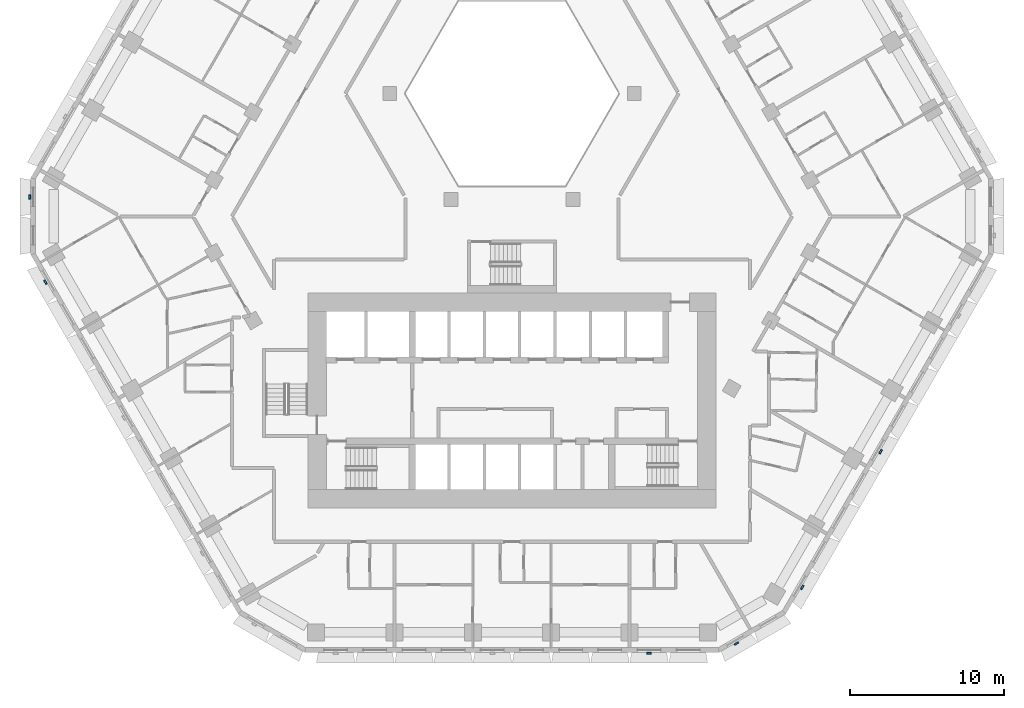
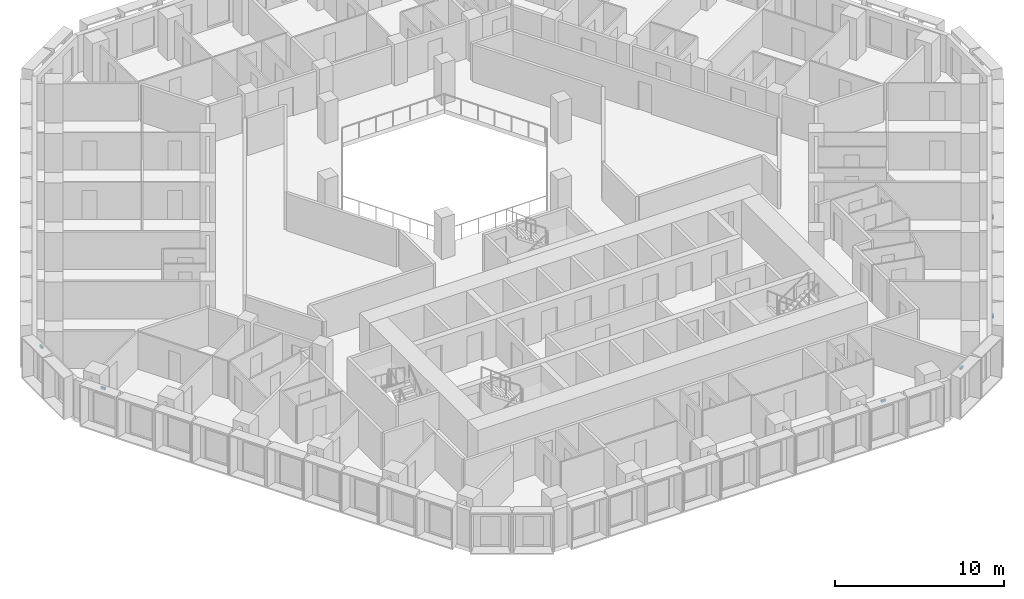
# One storey, part 13 of 21: 6 discrete accessories.
"""IFC4 building model written with IfcOpenShell, lengths in metres."""

import ifcopenshell
import ifcopenshell.guid

model = None  # the IFC model being written
_history = None  # IfcOwnerHistory: only IFC2X3 demands one
_inside = {}  # id of a spatial element -> (the spatial element, [elements in it])
_under = {}  # id of a project, library or spatial element -> (it, [spatial elements below it])
_declared = {}  # id of a project -> (the project, [libraries it declares])
_typed = {}  # id of a type object -> (the type object, [elements of that type])
_made_of = {}  # id of a material, layer set ... -> (it, [elements and type objects made of it])


def new_model(schema):
    """Start an empty IFC model of exactly this schema.

    Asked for "IFC4X3", IfcOpenShell would pick the latest addendum, in which some entities
    have other attributes; the version numbers below select the first issue.
    IFC2X3 requires an IfcOwnerHistory on every rooted entity: one is made here for all.
    """
    global model, _history
    if schema == "IFC4X3":
        model = ifcopenshell.file(schema_version=(4, 3, 0, 0))
    else:
        model = ifcopenshell.file(schema=schema)
    _inside.clear()
    _under.clear()
    _declared.clear()
    _typed.clear()
    _made_of.clear()
    _history = None
    if model.schema == "IFC2X3":
        org = make("IfcOrganization", Name="unknown")
        user = make(
            "IfcPersonAndOrganization",
            ThePerson=make("IfcPerson", FamilyName="unknown"),
            TheOrganization=org,
        )
        app = make(
            "IfcApplication",
            ApplicationDeveloper=org,
            Version="unknown",
            ApplicationFullName="unknown",
            ApplicationIdentifier="unknown",
        )
        _history = make(
            "IfcOwnerHistory",
            OwningUser=user,
            OwningApplication=app,
            ChangeAction="ADDED",
            CreationDate=0,
        )
    return model


def make(cls, **values):
    """One entity of the class cls with the attributes given. An attribute that is None is left unset."""
    return model.create_entity(
        cls, **{name: value for name, value in values.items() if value is not None}
    )


def rooted(cls, **values):
    """An entity with a GlobalId (a new one), such as an element, a storey or a relation."""
    return make(cls, GlobalId=ifcopenshell.guid.new(), OwnerHistory=_history, **values)


def si_unit(unit_type, name, prefix=None):
    """IfcSIUnit, for example si_unit("LENGTHUNIT", "METRE", prefix="MILLI")."""
    return make("IfcSIUnit", UnitType=unit_type, Prefix=prefix, Name=name)


def assignment(units):
    """IfcUnitAssignment: the units of a project."""
    return None if units is None else make("IfcUnitAssignment", Units=units)


def point(xyz):
    """IfcCartesianPoint."""
    return None if xyz is None else make("IfcCartesianPoint", Coordinates=xyz)


def direction(xyz):
    """IfcDirection."""
    return None if xyz is None else make("IfcDirection", DirectionRatios=xyz)


def frame(location, z_axis=None, x_axis=None):
    """IfcAxis2Placement3D, a coordinate frame: its origin and axes. An axis left out is left unset."""
    return make(
        "IfcAxis2Placement3D",
        Location=point(location),
        Axis=direction(z_axis),
        RefDirection=direction(x_axis),
    )


def origin():
    """The frame at (0, 0, 0) with its axes left unset."""
    return frame((0.0, 0.0, 0.0))


def place(relative_to, where):
    """IfcLocalPlacement: puts the frame where relative to a parent placement (None: the world)."""
    return make(
        "IfcLocalPlacement", PlacementRelTo=relative_to, RelativePlacement=where
    )


def context(
    kind, dimensions, precision=None, world=None, true_north=None, identifier=None
):
    """IfcGeometricRepresentationContext, for example the 3D "Model" context."""
    return make(
        "IfcGeometricRepresentationContext",
        ContextIdentifier=identifier,
        ContextType=kind,
        CoordinateSpaceDimension=dimensions,
        Precision=precision,
        WorldCoordinateSystem=world,
        TrueNorth=true_north,
    )


def subcontext(parent, identifier, kind, view, scale=None):
    """IfcGeometricRepresentationSubContext, for example "Body" below "Model"."""
    return make(
        "IfcGeometricRepresentationSubContext",
        ContextIdentifier=identifier,
        ContextType=kind,
        ParentContext=parent,
        TargetScale=scale,
        TargetView=view,
    )


def project(units=None, contexts=None):
    """IfcProject with its units and contexts."""
    return rooted(
        "IfcProject",
        Name="project",
        RepresentationContexts=contexts,
        UnitsInContext=assignment(units),
    )


def spatial(cls, under=None, at=None, **own):
    """A site, building, storey or space (cls), placed at a placement, below another one or the project."""
    s = rooted(cls, ObjectPlacement=at, **own)
    if under is not None:
        _under.setdefault(under.id(), (under, []))[1].append(s)
    return s


def polyline(points):
    """IfcPolyline through the points."""
    return make("IfcPolyline", Points=[point(p) for p in points])


def outline(outer, holes=None, kind="AREA"):
    """IfcArbitraryClosedProfileDef: a profile drawn as a closed curve; with holes, ...WithVoids."""
    if holes is None:
        return make("IfcArbitraryClosedProfileDef", ProfileType=kind, OuterCurve=outer)
    return make(
        "IfcArbitraryProfileDefWithVoids",
        ProfileType=kind,
        OuterCurve=outer,
        InnerCurves=holes,
    )


def extrude(swept, where, along, depth):
    """IfcExtrudedAreaSolid: the profile swept, set in the frame where, extruded along a direction by depth."""
    return make(
        "IfcExtrudedAreaSolid",
        SweptArea=swept,
        Position=where,
        ExtrudedDirection=direction(along),
        Depth=depth,
    )


def shape(context_of_items, identifier, shape_type, items):
    """IfcShapeRepresentation: the items that make up one representation, for example the "Body"."""
    return make(
        "IfcShapeRepresentation",
        ContextOfItems=context_of_items,
        RepresentationIdentifier=identifier,
        RepresentationType=shape_type,
        Items=items,
    )


def source(mapping_origin, context_of_items, identifier, shape_type, items):
    """IfcRepresentationMap: a shape defined once, which mapped items show again and again."""
    return make(
        "IfcRepresentationMap",
        MappingOrigin=mapping_origin,
        MappedRepresentation=shape(context_of_items, identifier, shape_type, items),
    )


def transform(
    local_origin,
    x_axis=None,
    y_axis=None,
    z_axis=None,
    scale=None,
    scale2=None,
    scale3=None,
    uniform=True,
):
    """IfcCartesianTransformationOperator3D, or its non-uniform kind. x_axis, y_axis, z_axis: its Axis1, 2, 3."""
    if uniform:
        return make(
            "IfcCartesianTransformationOperator3D",
            Axis1=direction(x_axis),
            Axis2=direction(y_axis),
            LocalOrigin=point(local_origin),
            Scale=scale,
            Axis3=direction(z_axis),
        )
    return make(
        "IfcCartesianTransformationOperator3DnonUniform",
        Axis1=direction(x_axis),
        Axis2=direction(y_axis),
        LocalOrigin=point(local_origin),
        Scale=scale,
        Axis3=direction(z_axis),
        Scale2=scale2,
        Scale3=scale3,
    )


def mapped(mapping_source, mapping_target):
    """IfcMappedItem: shows the shape of a source again, moved by a transform."""
    return make(
        "IfcMappedItem", MappingSource=mapping_source, MappingTarget=mapping_target
    )


def material(Name=None, Category=None):
    """IfcMaterial."""
    return make("IfcMaterial", Name=Name, Category=Category)


def made_of(thing, what):
    """Note that an element or type object is made of a material, layer set ...; save() writes the relation."""
    if what is not None:
        _made_of.setdefault(what.id(), (what, []))[1].append(thing)
    return thing


def type_object(cls, material=None, **own):
    """A type object (cls), such as IfcWallType, which elements share."""
    return made_of(rooted(cls, **own), material)


def type_shapes(of_type, sources):
    """Give a type object the sources (RepresentationMaps) that its elements show as mapped items."""
    of_type.RepresentationMaps = sources


def element(
    cls,
    number,
    at=None,
    inside=None,
    cuts=None,
    type_object=None,
    material=None,
    context=None,
    identifier="Body",
    shape_type=None,
    held_by="IfcProductDefinitionShape",
    body=None,
    shapes=None,
    **own,
):
    """One element of the class cls, such as IfcWall. Its Tag is "e" and its number.

    at: its placement. inside: the storey or other place that contains it. cuts: it is an
    opening in that element (IfcRelVoidsElement). A single representation is given by context,
    identifier, shape_type and body (its items); several are given by shapes. held_by: the class
    of the entity that holds the representations. save() writes the other relations.
    """
    e = rooted(cls, Tag="e%d" % number, ObjectPlacement=at, **own)
    if body is not None:
        shapes = [shape(context, identifier, shape_type, body)]
    if shapes is not None:
        e.Representation = make(held_by, Representations=shapes)
    if inside is not None:
        _inside.setdefault(inside.id(), (inside, []))[1].append(e)
    if cuts is not None:
        rooted(
            "IfcRelVoidsElement", RelatingBuildingElement=cuts, RelatedOpeningElement=e
        )
    if type_object is not None:
        _typed.setdefault(type_object.id(), (type_object, []))[1].append(e)
    return made_of(e, material)


def aggregate(whole, parts):
    """IfcRelAggregates: a whole, such as a stair, and the parts it consists of."""
    return rooted("IfcRelAggregates", RelatingObject=whole, RelatedObjects=parts)


def save(model, path):
    """Write the relations noted so far, then the file.

    IfcRelAggregates (storeys below a building ...), IfcRelContainedInSpatialStructure (elements
    in a storey), IfcRelDefinesByType, IfcRelAssociatesMaterial and IfcRelDeclares: one each for
    every whole, place, type object, material and project.
    """
    for whole, parts in _under.values():
        aggregate(whole, parts)
    for where, things in _inside.values():
        rooted(
            "IfcRelContainedInSpatialStructure",
            RelatedElements=things,
            RelatingStructure=where,
        )
    for kind, things in _typed.values():
        rooted("IfcRelDefinesByType", RelatedObjects=things, RelatingType=kind)
    for what, things in _made_of.values():
        rooted("IfcRelAssociatesMaterial", RelatedObjects=things, RelatingMaterial=what)
    for by, libraries in _declared.values():
        rooted("IfcRelDeclares", RelatingContext=by, RelatedDefinitions=libraries)
    model.write(path)


model = new_model("IFC4")

# Units and contexts
model_context = context("Model", 3, precision=1e-05, world=origin(), true_north=direction((0.0, 1.0)))
body_context = subcontext(model_context, "Body", "Model", "MODEL_VIEW")
ifc_project = project(units=[si_unit("LENGTHUNIT", "METRE"), si_unit("AREAUNIT", "SQUARE_METRE"), si_unit("VOLUMEUNIT", "CUBIC_METRE"), si_unit("PLANEANGLEUNIT", "RADIAN"), si_unit("MASSUNIT", "GRAM", prefix="KILO")], contexts=[model_context])

# Site, building, storey
site_placement = place(None, origin())
site = spatial("IfcSite", under=ifc_project, at=site_placement, CompositionType="ELEMENT")
building_placement = place(site_placement, origin())
building = spatial("IfcBuilding", under=site, at=building_placement, Name="Beryl Residences", CompositionType="ELEMENT")
storey_placement = place(building_placement, frame((0.0, 0.0, 47.39990234375)))
storey = spatial("IfcBuildingStorey", under=building, at=storey_placement, Name="L14", CompositionType="ELEMENT", Elevation=47.39990234375)

# Discrete accessories
ifc_material = material(Name="Steel S355", Category="steel")
discrete_accessory_type = type_object("IfcDiscreteAccessoryType", Name="BR1 frame bracket 300 x 120 x 150 mm", PredefinedType="BRACKET", material=ifc_material)
shared_shape = source(origin(), body_context, "Body", "SweptSolid", [
    extrude(outline(polyline([(-0.14990234375, 0.0), (0.14990234375, 0.0), (0.14990234375, 0.1201171875), (-0.14990234375, 0.1201171875), (-0.14990234375, 0.0)])), origin(), (0.0, 0.0, 1.0), 0.14990234375),
])
type_shapes(discrete_accessory_type, [shared_shape])
for number, where, z_axis, x_axis, name in (
    (1, (-31.35009765625, 1.25, 2.75), (0.0, 0.0, 1.0), (0.0, 1.0, 0.0), "BR1 bracket L14 NW-SW 1"),
    (2, (-30.3359375, -4.2548828125, 2.75), (0.0, 0.0, 1.0), (-0.5, 0.866025403784, 0.0), "BR1 bracket L14 SW 1"),
    (3, (8.93310546875, -28.39990234375, 2.75), (0.0, 0.0, 1.0), (-1.0, 0.0, 0.0), "BR1 bracket L14 S 9"),
    (4, (14.593017578125, -27.77490234375, 2.75), (0.0, 0.0, 1.0), (-0.866025403784, -0.5, 0.0), "BR1 bracket L14 S-SE 1"),
    (5, (18.85400390625, -24.14501953125, 2.75), (0.0, 0.0, 1.0), (-0.5, -0.866025403784, 0.0), "BR1 bracket L14 SE 1"),
    (6, (23.9580078125, -15.303955078125, 2.75), (0.0, 0.0, 1.0), (-0.5, -0.866025403784, 0.0), "BR1 bracket L14 SE 5"),
):
    element("IfcDiscreteAccessory", number, at=place(storey_placement, frame(where, z_axis=z_axis, x_axis=x_axis)), inside=storey, type_object=discrete_accessory_type, Name=name, PredefinedType="BRACKET", context=body_context, shape_type="MappedRepresentation", body=[
        mapped(shared_shape, transform((0.0, 0.0, 0.0))),
    ])

save(model, "model.ifc")
